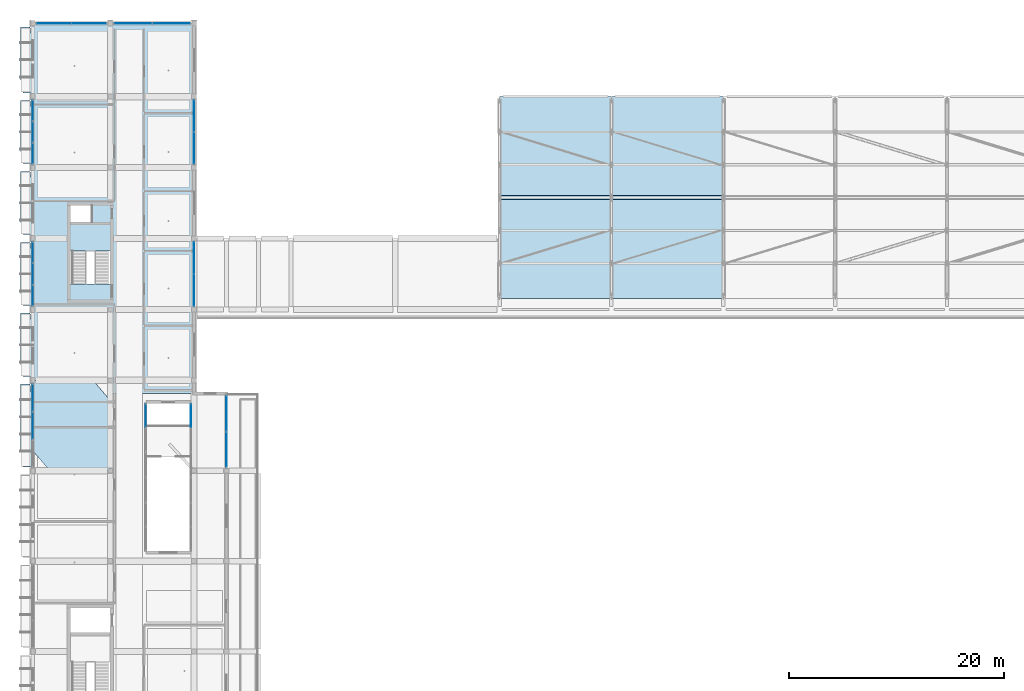
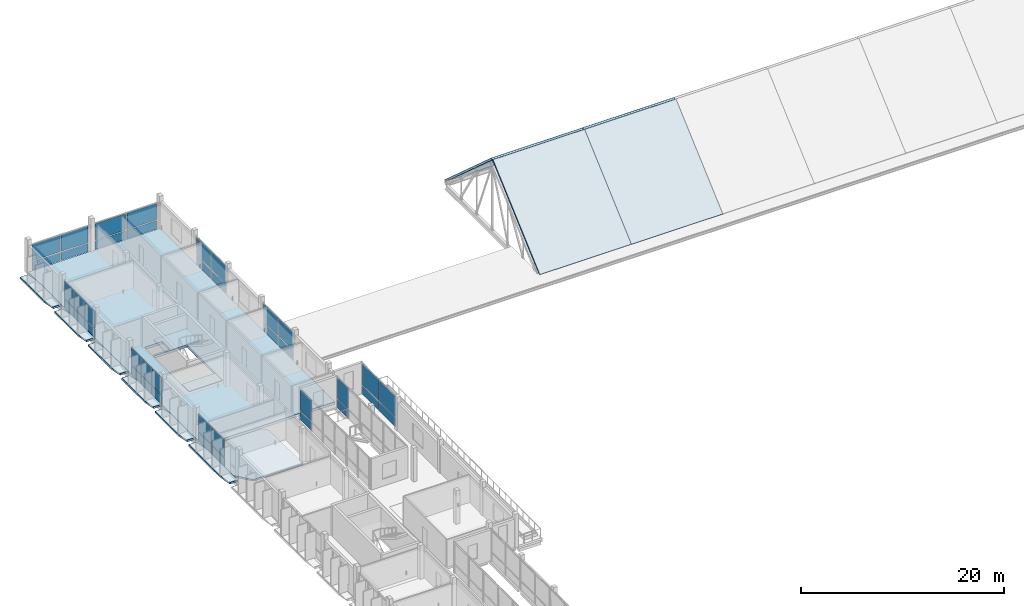
# One storey, part 41 of 86: 40 plates, 14 slabs, 12 elements without a shape of their own.
"""IFC4 building model written with IfcOpenShell, lengths in metres."""

from ifc_helpers import new_model, si_unit, derived_unit, direction, frame, origin, origin_2d, place, context, subcontext, project, spatial, polyline, rectangle, outline, extrude, material, layer, layer_set, type_object, element, aggregate, save


model = new_model("IFC4")

# Units and contexts
model_context = context("Model", 3, precision=1e-05, world=origin(), true_north=direction((0.0, 1.0)))
body_context = subcontext(model_context, "Body", "Model", "MODEL_VIEW")
ifc_project = project(units=[si_unit("LENGTHUNIT", "METRE"), si_unit("AREAUNIT", "SQUARE_METRE"), si_unit("VOLUMEUNIT", "CUBIC_METRE"), si_unit("PLANEANGLEUNIT", "RADIAN"), si_unit("MASSUNIT", "GRAM", prefix="KILO"), derived_unit("THERMALTRANSMITTANCEUNIT", [(si_unit("POWERUNIT", "WATT"), 1), (si_unit("LENGTHUNIT", "METRE"), -2), (si_unit("THERMODYNAMICTEMPERATUREUNIT", "KELVIN"), -1)])], contexts=[model_context])

# Site, building, storey
site_placement = place(None, origin())
site = spatial("IfcSite", under=ifc_project, at=site_placement, CompositionType="ELEMENT")
building_placement = place(site_placement, origin())
building = spatial("IfcBuilding", under=site, at=building_placement, Name="Braskholm Square Health Centre", CompositionType="ELEMENT")
storey_placement = place(building_placement, frame((0.0, 0.0, 13.5)))
storey = spatial("IfcBuildingStorey", under=building, at=storey_placement, Name="L04", CompositionType="ELEMENT", Elevation=13.5)

# Curtain wall, plates
ifc_material_1 = material(Name="Low-E triple insulating glass (VLT 0.64)", Category="glass")
curtain_wall_type_1 = type_object("IfcCurtainWallType", Name="UnitisedCurtainWall6200x3650", PredefinedType="NOTDEFINED", material=ifc_material_1)
curtain_wall_1_placement = place(storey_placement, origin())
curtain_wall_1 = element("IfcCurtainWall", 1, at=curtain_wall_1_placement, inside=storey, type_object=curtain_wall_type_1, Name="West Outer unitised curtain wall CW-L04-0028", PredefinedType="NOTDEFINED")
ifc_material_2 = material(Name="Architectural bronze anodised aluminium", Category="aluminium")
plate_type_1 = type_object("IfcPlateType", Name="CurtainPanelSpandrel1850x1020", PredefinedType="CURTAIN_PANEL", material=ifc_material_2)
plate_1_placement = place(storey_placement, frame((4.199951171875, 92.52001953125, 0.050048828125), z_axis=(0.0, 0.0, 1.0), x_axis=(0.0, -1.0, 0.0)))
plate_1 = element("IfcPlate", 2, at=plate_1_placement, type_object=plate_type_1, Name="CW-L04-0028 spandrel panel 1", PredefinedType="CURTAIN_PANEL", context=body_context, shape_type="SweptSolid", body=[
    extrude(rectangle(XDim=1.898681640625, YDim=0.035888671875, at=origin_2d()), origin(), (0.0, 0.0, 1.0), 1.02001953125),
])
plate_2_placement = place(storey_placement, frame((4.199951171875, 90.5, 0.050048828125), z_axis=(0.0, 0.0, 1.0), x_axis=(0.0, -1.0, 0.0)))
plate_2 = element("IfcPlate", 3, at=plate_2_placement, type_object=plate_type_1, Name="CW-L04-0028 spandrel panel 2", PredefinedType="CURTAIN_PANEL", context=body_context, shape_type="SweptSolid", body=[
    extrude(rectangle(XDim=1.898681640625, YDim=0.035888671875, at=origin_2d()), origin(), (0.0, 0.0, 1.0), 1.02001953125),
])
plate_3_placement = place(storey_placement, frame((4.199951171875, 88.47998046875, 0.050048828125), z_axis=(0.0, 0.0, 1.0), x_axis=(0.0, -1.0, 0.0)))
plate_3 = element("IfcPlate", 4, at=plate_3_placement, type_object=plate_type_1, Name="CW-L04-0028 spandrel panel 3", PredefinedType="CURTAIN_PANEL", context=body_context, shape_type="SweptSolid", body=[
    extrude(rectangle(XDim=1.898681640625, YDim=0.035888671875, at=origin_2d()), origin(), (0.0, 0.0, 1.0), 1.02001953125),
])

curtain_wall_2_placement = place(storey_placement, origin())
curtain_wall_2 = element("IfcCurtainWall", 5, at=curtain_wall_2_placement, inside=storey, type_object=curtain_wall_type_1, Name="West Outer unitised curtain wall CW-L04-0029", PredefinedType="NOTDEFINED")
plate_4_placement = place(storey_placement, frame((4.199951171875, 105.719970703125, 0.050048828125), z_axis=(0.0, 0.0, 1.0), x_axis=(0.0, -1.0, 0.0)))
plate_4 = element("IfcPlate", 6, at=plate_4_placement, type_object=plate_type_1, Name="CW-L04-0029 spandrel panel 1", PredefinedType="CURTAIN_PANEL", context=body_context, shape_type="SweptSolid", body=[
    extrude(rectangle(XDim=1.898681640625, YDim=0.035888671875, at=origin_2d()), origin(), (0.0, 0.0, 1.0), 1.02001953125),
])
plate_5_placement = place(storey_placement, frame((4.199951171875, 103.699951171875, 0.050048828125), z_axis=(0.0, 0.0, 1.0), x_axis=(0.0, -1.0, 0.0)))
plate_5 = element("IfcPlate", 7, at=plate_5_placement, type_object=plate_type_1, Name="CW-L04-0029 spandrel panel 2", PredefinedType="CURTAIN_PANEL", context=body_context, shape_type="SweptSolid", body=[
    extrude(rectangle(XDim=1.898681640625, YDim=0.035888671875, at=origin_2d()), origin(), (0.0, 0.0, 1.0), 1.02001953125),
])
plate_6_placement = place(storey_placement, frame((4.199951171875, 101.679931640625, 0.050048828125), z_axis=(0.0, 0.0, 1.0), x_axis=(0.0, -1.0, 0.0)))
plate_6 = element("IfcPlate", 8, at=plate_6_placement, type_object=plate_type_1, Name="CW-L04-0029 spandrel panel 3", PredefinedType="CURTAIN_PANEL", context=body_context, shape_type="SweptSolid", body=[
    extrude(rectangle(XDim=1.898681640625, YDim=0.035888671875, at=origin_2d()), origin(), (0.0, 0.0, 1.0), 1.02001953125),
])

# Curtain wall, plate
curtain_wall_type_2 = type_object("IfcCurtainWallType", Name="UnitisedCurtainWall4800x3800", PredefinedType="NOTDEFINED", material=ifc_material_1)
curtain_wall_3_placement = place(storey_placement, origin())
curtain_wall_3 = element("IfcCurtainWall", 9, at=curtain_wall_3_placement, inside=storey, type_object=curtain_wall_type_2, Name="WC2 Court W unitised curtain wall CW-L04-0307", PredefinedType="NOTDEFINED")
plate_type_2 = type_object("IfcPlateType", Name="CurtainPanelSpandrel2150x1020", PredefinedType="CURTAIN_PANEL", material=ifc_material_2)
plate_7_placement = place(storey_placement, frame((14.699951171875, 77.31591796875, 0.050048828125), z_axis=(0.0, 0.0, 1.0), x_axis=(0.0, 1.0, 0.0)))
plate_7 = element("IfcPlate", 10, at=plate_7_placement, type_object=plate_type_2, Name="CW-L04-0307 spandrel panel 2", PredefinedType="CURTAIN_PANEL", context=body_context, shape_type="SweptSolid", body=[
    extrude(rectangle(XDim=2.125244140625, YDim=0.035888671875, at=origin_2d()), origin(), (0.0, 0.0, 1.0), 1.02001953125),
])

curtain_wall_4_placement = place(storey_placement, origin())
curtain_wall_4 = element("IfcCurtainWall", 11, at=curtain_wall_4_placement, inside=storey, type_object=curtain_wall_type_2, Name="WC2 Court E unitised curtain wall CW-L04-0308", PredefinedType="NOTDEFINED")
plate_8_placement = place(storey_placement, frame((18.89990234375, 77.31591796875, 0.050048828125), z_axis=(0.0, 0.0, 1.0), x_axis=(0.0, -1.0, 0.0)))
plate_8 = element("IfcPlate", 12, at=plate_8_placement, type_object=plate_type_2, Name="CW-L04-0308 spandrel panel 1", PredefinedType="CURTAIN_PANEL", context=body_context, shape_type="SweptSolid", body=[
    extrude(rectangle(XDim=2.125244140625, YDim=0.035888671875, at=origin_2d()), origin(), (0.0, 0.0, 1.0), 1.02001953125),
])

# Curtain wall, plates
curtain_wall_5_placement = place(storey_placement, origin())
curtain_wall_5 = element("IfcCurtainWall", 13, at=curtain_wall_5_placement, inside=storey, type_object=curtain_wall_type_1, Name="West Outer unitised curtain wall CW-L04-0027", PredefinedType="NOTDEFINED")
plate_type_3 = type_object("IfcPlateType", Name="CurtainPanelSpandrel2750x1020", PredefinedType="CURTAIN_PANEL", material=ifc_material_2)
plate_9_placement = place(storey_placement, frame((4.199951171875, 79.02001953125, 0.050048828125), z_axis=(0.0, 0.0, 1.0), x_axis=(0.0, -1.0, 0.0)))
plate_9 = element("IfcPlate", 14, at=plate_9_placement, type_object=plate_type_3, Name="CW-L04-0027 spandrel panel 1", PredefinedType="CURTAIN_PANEL", context=body_context, shape_type="SweptSolid", body=[
    extrude(rectangle(XDim=2.462890625, YDim=0.035888671875, at=origin_2d()), origin(), (0.0, 0.0, 1.0), 1.02001953125),
])
plate_10_placement = place(storey_placement, frame((4.199951171875, 76.39990234375, 0.050048828125), z_axis=(0.0, 0.0, 1.0), x_axis=(0.0, -1.0, 0.0)))
plate_10 = element("IfcPlate", 15, at=plate_10_placement, type_object=plate_type_3, Name="CW-L04-0027 spandrel panel 2", PredefinedType="CURTAIN_PANEL", context=body_context, shape_type="SweptSolid", body=[
    extrude(rectangle(XDim=2.462890625, YDim=0.035888671875, at=origin_2d()), origin(), (0.0, 0.0, 1.0), 1.02001953125),
])

curtain_wall_6_placement = place(storey_placement, origin())
curtain_wall_6 = element("IfcCurtainWall", 16, at=curtain_wall_6_placement, inside=storey, type_object=curtain_wall_type_1, Name="West Valley unitised curtain wall CW-L04-0100", PredefinedType="NOTDEFINED")
plate_11_placement = place(storey_placement, frame((19.199951171875, 88.98828125, 0.050048828125), z_axis=(0.0, 0.0, 1.0), x_axis=(0.0, 1.0, 0.0)))
plate_11 = element("IfcPlate", 17, at=plate_11_placement, type_object=plate_type_3, Name="CW-L04-0100 spandrel panel 1", PredefinedType="CURTAIN_PANEL", context=body_context, shape_type="SweptSolid", body=[
    extrude(rectangle(XDim=2.87646484375, YDim=0.035888671875, at=origin_2d()), origin(), (0.0, 0.0, 1.0), 1.02001953125),
])
plate_12_placement = place(storey_placement, frame((19.199951171875, 92.01171875, 0.050048828125), z_axis=(0.0, 0.0, 1.0), x_axis=(0.0, 1.0, 0.0)))
plate_12 = element("IfcPlate", 18, at=plate_12_placement, type_object=plate_type_3, Name="CW-L04-0100 spandrel panel 2", PredefinedType="CURTAIN_PANEL", context=body_context, shape_type="SweptSolid", body=[
    extrude(rectangle(XDim=2.87646484375, YDim=0.035888671875, at=origin_2d()), origin(), (0.0, 0.0, 1.0), 1.02001953125),
])

curtain_wall_7_placement = place(storey_placement, origin())
curtain_wall_7 = element("IfcCurtainWall", 19, at=curtain_wall_7_placement, inside=storey, type_object=curtain_wall_type_1, Name="West Valley unitised curtain wall CW-L04-0101", PredefinedType="NOTDEFINED")
plate_13_placement = place(storey_placement, frame((19.199951171875, 102.1884765625, 0.050048828125), z_axis=(0.0, 0.0, 1.0), x_axis=(0.0, 1.0, 0.0)))
plate_13 = element("IfcPlate", 20, at=plate_13_placement, type_object=plate_type_3, Name="CW-L04-0101 spandrel panel 1", PredefinedType="CURTAIN_PANEL", context=body_context, shape_type="SweptSolid", body=[
    extrude(rectangle(XDim=2.87646484375, YDim=0.035888671875, at=origin_2d()), origin(), (0.0, 0.0, 1.0), 1.02001953125),
])
plate_14_placement = place(storey_placement, frame((19.199951171875, 105.211669921875, 0.050048828125), z_axis=(0.0, 0.0, 1.0), x_axis=(0.0, 1.0, 0.0)))
plate_14 = element("IfcPlate", 21, at=plate_14_placement, type_object=plate_type_3, Name="CW-L04-0101 spandrel panel 2", PredefinedType="CURTAIN_PANEL", context=body_context, shape_type="SweptSolid", body=[
    extrude(rectangle(XDim=2.87646484375, YDim=0.035888671875, at=origin_2d()), origin(), (0.0, 0.0, 1.0), 1.02001953125),
])

curtain_wall_type_3 = type_object("IfcCurtainWallType", Name="UnitisedCurtainWall6200x3800", PredefinedType="NOTDEFINED", material=ifc_material_1)
curtain_wall_8_placement = place(storey_placement, origin())
curtain_wall_8 = element("IfcCurtainWall", 22, at=curtain_wall_8_placement, inside=storey, type_object=curtain_wall_type_3, Name="West Valley unitised curtain wall CW-L04-0099", PredefinedType="NOTDEFINED")
plate_type_4 = type_object("IfcPlateType", Name="CurtainPanelSpandrel3150x1020", PredefinedType="CURTAIN_PANEL", material=ifc_material_2)
plate_15_placement = place(storey_placement, frame((22.199951171875, 74.1650390625, 0.050048828125), z_axis=(0.0, 0.0, 1.0), x_axis=(0.0, 1.0, 0.0)))
plate_15 = element("IfcPlate", 23, at=plate_15_placement, type_object=plate_type_4, Name="CW-L04-0099 spandrel panel 1", PredefinedType="CURTAIN_PANEL", context=body_context, shape_type="SweptSolid", body=[
    extrude(rectangle(XDim=3.20458984375, YDim=0.035888671875, at=origin_2d()), origin(), (0.0, 0.0, 1.0), 1.02001953125),
])
plate_16_placement = place(storey_placement, frame((22.199951171875, 77.532958984375, 0.050048828125), z_axis=(0.0, 0.0, 1.0), x_axis=(0.0, 1.0, 0.0)))
plate_16 = element("IfcPlate", 24, at=plate_16_placement, type_object=plate_type_4, Name="CW-L04-0099 spandrel panel 2", PredefinedType="CURTAIN_PANEL", context=body_context, shape_type="SweptSolid", body=[
    extrude(rectangle(XDim=3.20458984375, YDim=0.035888671875, at=origin_2d()), origin(), (0.0, 0.0, 1.0), 1.02001953125),
])

curtain_wall_9_placement = place(storey_placement, origin())
curtain_wall_9 = element("IfcCurtainWall", 25, at=curtain_wall_9_placement, inside=storey, type_object=curtain_wall_type_1, Name="Wing End unitised curtain wall CW-L04-0155", PredefinedType="NOTDEFINED")
plate_17_placement = place(storey_placement, frame((17.08837890625, 113.800048828125, 0.050048828125), z_axis=(0.0, 0.0, 1.0), x_axis=(-1.0, 0.0, 0.0)))
plate_17 = element("IfcPlate", 26, at=plate_17_placement, type_object=plate_type_4, Name="CW-L04-0155 spandrel panel 1", PredefinedType="CURTAIN_PANEL", context=body_context, shape_type="SweptSolid", body=[
    extrude(rectangle(XDim=3.40283203125, YDim=0.035888671875, at=origin_2d()), origin(), (0.0, 0.0, 1.0), 1.02001953125),
])
plate_18_placement = place(storey_placement, frame((13.51171875, 113.800048828125, 0.050048828125), z_axis=(0.0, 0.0, 1.0), x_axis=(-1.0, 0.0, 0.0)))
plate_18 = element("IfcPlate", 27, at=plate_18_placement, type_object=plate_type_4, Name="CW-L04-0155 spandrel panel 2", PredefinedType="CURTAIN_PANEL", context=body_context, shape_type="SweptSolid", body=[
    extrude(rectangle(XDim=3.40283203125, YDim=0.035888671875, at=origin_2d()), origin(), (0.0, 0.0, 1.0), 1.02001953125),
])

curtain_wall_10_placement = place(storey_placement, origin())
curtain_wall_10 = element("IfcCurtainWall", 28, at=curtain_wall_10_placement, inside=storey, type_object=curtain_wall_type_1, Name="Wing End unitised curtain wall CW-L04-0156", PredefinedType="NOTDEFINED")
plate_19_placement = place(storey_placement, frame((9.440185546875, 113.800048828125, 0.050048828125), z_axis=(0.0, 0.0, 1.0), x_axis=(-1.0, 0.0, 0.0)))
plate_19 = element("IfcPlate", 29, at=plate_19_placement, type_object=plate_type_4, Name="CW-L04-0156 spandrel panel 1", PredefinedType="CURTAIN_PANEL", context=body_context, shape_type="SweptSolid", body=[
    extrude(rectangle(XDim=3.120849609375, YDim=0.035888671875, at=origin_2d()), origin(), (0.0, 0.0, 1.0), 1.02001953125),
])
plate_20_placement = place(storey_placement, frame((6.159912109375, 113.800048828125, 0.050048828125), z_axis=(0.0, 0.0, 1.0), x_axis=(-1.0, 0.0, 0.0)))
plate_20 = element("IfcPlate", 30, at=plate_20_placement, type_object=plate_type_4, Name="CW-L04-0156 spandrel panel 2", PredefinedType="CURTAIN_PANEL", context=body_context, shape_type="SweptSolid", body=[
    extrude(rectangle(XDim=3.120849609375, YDim=0.035888671875, at=origin_2d()), origin(), (0.0, 0.0, 1.0), 1.02001953125),
])

# Plate
plate_type_5 = type_object("IfcPlateType", Name="CurtainPanelVision1850x2120", PredefinedType="CURTAIN_PANEL", material=ifc_material_1)
plate_21_placement = place(storey_placement, frame((4.199951171875, 92.52001953125, 1.169921875), z_axis=(0.0, 0.0, 1.0), x_axis=(0.0, -1.0, 0.0)))
plate_21 = element("IfcPlate", 31, at=plate_21_placement, type_object=plate_type_5, Name="CW-L04-0028 vision glass panel 1", PredefinedType="CURTAIN_PANEL", context=body_context, shape_type="SweptSolid", body=[
    extrude(rectangle(XDim=1.898681640625, YDim=0.035888671875, at=origin_2d()), origin(), (0.0, 0.0, 1.0), 2.050048828125),
])

plate_22_placement = place(storey_placement, frame((4.199951171875, 90.5, 1.169921875), z_axis=(0.0, 0.0, 1.0), x_axis=(0.0, -1.0, 0.0)))
plate_22 = element("IfcPlate", 32, at=plate_22_placement, type_object=plate_type_5, Name="CW-L04-0028 vision glass panel 2", PredefinedType="CURTAIN_PANEL", context=body_context, shape_type="SweptSolid", body=[
    extrude(rectangle(XDim=1.898681640625, YDim=0.035888671875, at=origin_2d()), origin(), (0.0, 0.0, 1.0), 2.050048828125),
])

plate_23_placement = place(storey_placement, frame((4.199951171875, 88.47998046875, 1.169921875), z_axis=(0.0, 0.0, 1.0), x_axis=(0.0, -1.0, 0.0)))
plate_23 = element("IfcPlate", 33, at=plate_23_placement, type_object=plate_type_5, Name="CW-L04-0028 vision glass panel 3", PredefinedType="CURTAIN_PANEL", context=body_context, shape_type="SweptSolid", body=[
    extrude(rectangle(XDim=1.898681640625, YDim=0.035888671875, at=origin_2d()), origin(), (0.0, 0.0, 1.0), 2.050048828125),
])

aggregate(curtain_wall_1, [plate_1, plate_21, plate_2, plate_22, plate_3, plate_23])

plate_24_placement = place(storey_placement, frame((4.199951171875, 105.719970703125, 1.169921875), z_axis=(0.0, 0.0, 1.0), x_axis=(0.0, -1.0, 0.0)))
plate_24 = element("IfcPlate", 34, at=plate_24_placement, type_object=plate_type_5, Name="CW-L04-0029 vision glass panel 1", PredefinedType="CURTAIN_PANEL", context=body_context, shape_type="SweptSolid", body=[
    extrude(rectangle(XDim=1.898681640625, YDim=0.035888671875, at=origin_2d()), origin(), (0.0, 0.0, 1.0), 2.050048828125),
])

plate_25_placement = place(storey_placement, frame((4.199951171875, 103.699951171875, 1.169921875), z_axis=(0.0, 0.0, 1.0), x_axis=(0.0, -1.0, 0.0)))
plate_25 = element("IfcPlate", 35, at=plate_25_placement, type_object=plate_type_5, Name="CW-L04-0029 vision glass panel 2", PredefinedType="CURTAIN_PANEL", context=body_context, shape_type="SweptSolid", body=[
    extrude(rectangle(XDim=1.898681640625, YDim=0.035888671875, at=origin_2d()), origin(), (0.0, 0.0, 1.0), 2.050048828125),
])

plate_26_placement = place(storey_placement, frame((4.199951171875, 101.679931640625, 1.169921875), z_axis=(0.0, 0.0, 1.0), x_axis=(0.0, -1.0, 0.0)))
plate_26 = element("IfcPlate", 36, at=plate_26_placement, type_object=plate_type_5, Name="CW-L04-0029 vision glass panel 3", PredefinedType="CURTAIN_PANEL", context=body_context, shape_type="SweptSolid", body=[
    extrude(rectangle(XDim=1.898681640625, YDim=0.035888671875, at=origin_2d()), origin(), (0.0, 0.0, 1.0), 2.050048828125),
])

aggregate(curtain_wall_2, [plate_4, plate_24, plate_5, plate_25, plate_6, plate_26])

plate_type_6 = type_object("IfcPlateType", Name="CurtainPanelVision2150x2520", PredefinedType="CURTAIN_PANEL", material=ifc_material_1)
plate_27_placement = place(storey_placement, frame((14.699951171875, 77.31591796875, 1.169921875), z_axis=(0.0, 0.0, 1.0), x_axis=(0.0, 1.0, 0.0)))
plate_27 = element("IfcPlate", 37, at=plate_27_placement, type_object=plate_type_6, Name="CW-L04-0307 vision glass panel 2", PredefinedType="CURTAIN_PANEL", context=body_context, shape_type="SweptSolid", body=[
    extrude(rectangle(XDim=2.125244140625, YDim=0.035888671875, at=origin_2d()), origin(), (0.0, 0.0, 1.0), 2.469970703125),
])

aggregate(curtain_wall_3, [plate_7, plate_27])

plate_28_placement = place(storey_placement, frame((18.89990234375, 77.31591796875, 1.169921875), z_axis=(0.0, 0.0, 1.0), x_axis=(0.0, -1.0, 0.0)))
plate_28 = element("IfcPlate", 38, at=plate_28_placement, type_object=plate_type_6, Name="CW-L04-0308 vision glass panel 1", PredefinedType="CURTAIN_PANEL", context=body_context, shape_type="SweptSolid", body=[
    extrude(rectangle(XDim=2.125244140625, YDim=0.035888671875, at=origin_2d()), origin(), (0.0, 0.0, 1.0), 2.469970703125),
])

aggregate(curtain_wall_4, [plate_8, plate_28])

plate_type_7 = type_object("IfcPlateType", Name="CurtainPanelVision2750x2120", PredefinedType="CURTAIN_PANEL", material=ifc_material_1)
plate_29_placement = place(storey_placement, frame((4.199951171875, 79.02001953125, 1.169921875), z_axis=(0.0, 0.0, 1.0), x_axis=(0.0, -1.0, 0.0)))
plate_29 = element("IfcPlate", 39, at=plate_29_placement, type_object=plate_type_7, Name="CW-L04-0027 vision glass panel 1", PredefinedType="CURTAIN_PANEL", context=body_context, shape_type="SweptSolid", body=[
    extrude(rectangle(XDim=2.462890625, YDim=0.035888671875, at=origin_2d()), origin(), (0.0, 0.0, 1.0), 2.050048828125),
])

plate_30_placement = place(storey_placement, frame((4.199951171875, 76.39990234375, 1.169921875), z_axis=(0.0, 0.0, 1.0), x_axis=(0.0, -1.0, 0.0)))
plate_30 = element("IfcPlate", 40, at=plate_30_placement, type_object=plate_type_7, Name="CW-L04-0027 vision glass panel 2", PredefinedType="CURTAIN_PANEL", context=body_context, shape_type="SweptSolid", body=[
    extrude(rectangle(XDim=2.462890625, YDim=0.035888671875, at=origin_2d()), origin(), (0.0, 0.0, 1.0), 2.050048828125),
])

aggregate(curtain_wall_5, [plate_9, plate_29, plate_10, plate_30])

plate_31_placement = place(storey_placement, frame((19.199951171875, 88.98828125, 1.169921875), z_axis=(0.0, 0.0, 1.0), x_axis=(0.0, 1.0, 0.0)))
plate_31 = element("IfcPlate", 41, at=plate_31_placement, type_object=plate_type_7, Name="CW-L04-0100 vision glass panel 1", PredefinedType="CURTAIN_PANEL", context=body_context, shape_type="SweptSolid", body=[
    extrude(rectangle(XDim=2.87646484375, YDim=0.035888671875, at=origin_2d()), origin(), (0.0, 0.0, 1.0), 2.139892578125),
])

plate_32_placement = place(storey_placement, frame((19.199951171875, 92.01171875, 1.169921875), z_axis=(0.0, 0.0, 1.0), x_axis=(0.0, 1.0, 0.0)))
plate_32 = element("IfcPlate", 42, at=plate_32_placement, type_object=plate_type_7, Name="CW-L04-0100 vision glass panel 2", PredefinedType="CURTAIN_PANEL", context=body_context, shape_type="SweptSolid", body=[
    extrude(rectangle(XDim=2.87646484375, YDim=0.035888671875, at=origin_2d()), origin(), (0.0, 0.0, 1.0), 2.139892578125),
])

aggregate(curtain_wall_6, [plate_11, plate_31, plate_12, plate_32])

plate_33_placement = place(storey_placement, frame((19.199951171875, 102.1884765625, 1.169921875), z_axis=(0.0, 0.0, 1.0), x_axis=(0.0, 1.0, 0.0)))
plate_33 = element("IfcPlate", 43, at=plate_33_placement, type_object=plate_type_7, Name="CW-L04-0101 vision glass panel 1", PredefinedType="CURTAIN_PANEL", context=body_context, shape_type="SweptSolid", body=[
    extrude(rectangle(XDim=2.87646484375, YDim=0.035888671875, at=origin_2d()), origin(), (0.0, 0.0, 1.0), 2.139892578125),
])

plate_34_placement = place(storey_placement, frame((19.199951171875, 105.211669921875, 1.169921875), z_axis=(0.0, 0.0, 1.0), x_axis=(0.0, 1.0, 0.0)))
plate_34 = element("IfcPlate", 44, at=plate_34_placement, type_object=plate_type_7, Name="CW-L04-0101 vision glass panel 2", PredefinedType="CURTAIN_PANEL", context=body_context, shape_type="SweptSolid", body=[
    extrude(rectangle(XDim=2.87646484375, YDim=0.035888671875, at=origin_2d()), origin(), (0.0, 0.0, 1.0), 2.139892578125),
])

aggregate(curtain_wall_7, [plate_13, plate_33, plate_14, plate_34])

plate_type_8 = type_object("IfcPlateType", Name="CurtainPanelVision3150x2120", PredefinedType="CURTAIN_PANEL", material=ifc_material_1)
plate_35_placement = place(storey_placement, frame((17.08837890625, 113.800048828125, 1.169921875), z_axis=(0.0, 0.0, 1.0), x_axis=(-1.0, 0.0, 0.0)))
plate_35 = element("IfcPlate", 45, at=plate_35_placement, type_object=plate_type_8, Name="CW-L04-0155 vision glass panel 1", PredefinedType="CURTAIN_PANEL", context=body_context, shape_type="SweptSolid", body=[
    extrude(rectangle(XDim=3.40283203125, YDim=0.035888671875, at=origin_2d()), origin(), (0.0, 0.0, 1.0), 1.969970703125),
])

plate_36_placement = place(storey_placement, frame((13.51171875, 113.800048828125, 1.169921875), z_axis=(0.0, 0.0, 1.0), x_axis=(-1.0, 0.0, 0.0)))
plate_36 = element("IfcPlate", 46, at=plate_36_placement, type_object=plate_type_8, Name="CW-L04-0155 vision glass panel 2", PredefinedType="CURTAIN_PANEL", context=body_context, shape_type="SweptSolid", body=[
    extrude(rectangle(XDim=3.40283203125, YDim=0.035888671875, at=origin_2d()), origin(), (0.0, 0.0, 1.0), 1.969970703125),
])

aggregate(curtain_wall_9, [plate_17, plate_35, plate_18, plate_36])

plate_37_placement = place(storey_placement, frame((9.440185546875, 113.800048828125, 1.169921875), z_axis=(0.0, 0.0, 1.0), x_axis=(-1.0, 0.0, 0.0)))
plate_37 = element("IfcPlate", 47, at=plate_37_placement, type_object=plate_type_8, Name="CW-L04-0156 vision glass panel 1", PredefinedType="CURTAIN_PANEL", context=body_context, shape_type="SweptSolid", body=[
    extrude(rectangle(XDim=3.120849609375, YDim=0.035888671875, at=origin_2d()), origin(), (0.0, 0.0, 1.0), 1.969970703125),
])

plate_38_placement = place(storey_placement, frame((6.159912109375, 113.800048828125, 1.169921875), z_axis=(0.0, 0.0, 1.0), x_axis=(-1.0, 0.0, 0.0)))
plate_38 = element("IfcPlate", 48, at=plate_38_placement, type_object=plate_type_8, Name="CW-L04-0156 vision glass panel 2", PredefinedType="CURTAIN_PANEL", context=body_context, shape_type="SweptSolid", body=[
    extrude(rectangle(XDim=3.120849609375, YDim=0.035888671875, at=origin_2d()), origin(), (0.0, 0.0, 1.0), 1.969970703125),
])

aggregate(curtain_wall_10, [plate_19, plate_37, plate_20, plate_38])

plate_type_9 = type_object("IfcPlateType", Name="CurtainPanelVision3150x2520", PredefinedType="CURTAIN_PANEL", material=ifc_material_1)
plate_39_placement = place(storey_placement, frame((22.199951171875, 74.1650390625, 1.169921875), z_axis=(0.0, 0.0, 1.0), x_axis=(0.0, 1.0, 0.0)))
plate_39 = element("IfcPlate", 49, at=plate_39_placement, type_object=plate_type_9, Name="CW-L04-0099 vision glass panel 1", PredefinedType="CURTAIN_PANEL", context=body_context, shape_type="SweptSolid", body=[
    extrude(rectangle(XDim=3.20458984375, YDim=0.035888671875, at=origin_2d()), origin(), (0.0, 0.0, 1.0), 2.52001953125),
])

plate_40_placement = place(storey_placement, frame((22.199951171875, 77.532958984375, 1.169921875), z_axis=(0.0, 0.0, 1.0), x_axis=(0.0, 1.0, 0.0)))
plate_40 = element("IfcPlate", 50, at=plate_40_placement, type_object=plate_type_9, Name="CW-L04-0099 vision glass panel 2", PredefinedType="CURTAIN_PANEL", context=body_context, shape_type="SweptSolid", body=[
    extrude(rectangle(XDim=3.20458984375, YDim=0.035888671875, at=origin_2d()), origin(), (0.0, 0.0, 1.0), 2.52001953125),
])

aggregate(curtain_wall_8, [plate_15, plate_39, plate_16, plate_40])

# Slabs
ifc_material_3 = material(Name="Precast concrete C40/50 architectural white", Category="concrete")
ifc_layer_1 = layer(ifc_material_3, 0.2099609375)
ifc_layer_set_1 = layer_set([ifc_layer_1], Name="Precast concrete C40/50 architectural white")
slab_type_1 = type_object("IfcSlabType", Name="PitchedAndCrownRoofSlab150", PredefinedType="ROOF", material=ifc_layer_set_1)
slab_1_placement = place(storey_placement, frame((0.0, 0.0, -0.2099609375)))
element("IfcSlab", 51, at=slab_1_placement, inside=storey, type_object=slab_type_1, Name="Level L04 West precast planter ledge 043", PredefinedType="ROOF", context=body_context, shape_type="SweptSolid", body=[
    extrude(outline(polyline([(3.302978515625, 72.550048828125), (4.199951171875, 72.550048828125), (4.199951171875, 78.555908203125), (3.947021484375, 80.25), (3.050048828125, 80.25), (3.050048828125, 74.243896484375), (3.302978515625, 72.550048828125)])), origin(), (0.0, 0.0, 1.0), 0.2099609375),
])
slab_2_placement = place(storey_placement, frame((0.0, 0.0, -0.2099609375)))
element("IfcSlab", 52, at=slab_2_placement, inside=storey, type_object=slab_type_1, Name="Level L04 West precast planter ledge 044", PredefinedType="ROOF", context=body_context, shape_type="SweptSolid", body=[
    extrude(outline(polyline([(3.302978515625, 80.949951171875), (4.199951171875, 80.949951171875), (4.199951171875, 85.552001953125), (3.947021484375, 86.85009765625), (3.050048828125, 86.85009765625), (3.050048828125, 82.248046875), (3.302978515625, 80.949951171875)])), origin(), (0.0, 0.0, 1.0), 0.2099609375),
])
slab_3_placement = place(storey_placement, frame((0.0, 0.0, -0.2099609375)))
element("IfcSlab", 53, at=slab_3_placement, inside=storey, type_object=slab_type_1, Name="Level L04 West precast planter ledge 045", PredefinedType="ROOF", context=body_context, shape_type="SweptSolid", body=[
    extrude(outline(polyline([(3.302978515625, 87.550048828125), (4.199951171875, 87.550048828125), (4.199951171875, 92.152099609375), (3.947021484375, 93.449951171875), (3.050048828125, 93.449951171875), (3.050048828125, 88.847900390625), (3.302978515625, 87.550048828125)])), origin(), (0.0, 0.0, 1.0), 0.2099609375),
])
slab_4_placement = place(storey_placement, frame((0.0, 0.0, -0.2099609375)))
element("IfcSlab", 54, at=slab_4_placement, inside=storey, type_object=slab_type_1, Name="Level L04 West precast planter ledge 046", PredefinedType="ROOF", context=body_context, shape_type="SweptSolid", body=[
    extrude(outline(polyline([(3.302978515625, 94.14990234375), (4.199951171875, 94.14990234375), (4.199951171875, 98.751953125), (3.947021484375, 100.050048828125), (3.050048828125, 100.050048828125), (3.050048828125, 95.447998046875), (3.302978515625, 94.14990234375)])), origin(), (0.0, 0.0, 1.0), 0.2099609375),
])
slab_5_placement = place(storey_placement, frame((0.0, 0.0, -0.2099609375)))
element("IfcSlab", 55, at=slab_5_placement, inside=storey, type_object=slab_type_1, Name="Level L04 West precast planter ledge 047", PredefinedType="ROOF", context=body_context, shape_type="SweptSolid", body=[
    extrude(outline(polyline([(3.302978515625, 100.75), (4.199951171875, 100.75), (4.199951171875, 105.35205078125), (3.947021484375, 106.64990234375), (3.050048828125, 106.64990234375), (3.050048828125, 102.048095703125), (3.302978515625, 100.75)])), origin(), (0.0, 0.0, 1.0), 0.2099609375),
])
slab_6_placement = place(storey_placement, frame((0.0, 0.0, -0.2099609375)))
element("IfcSlab", 56, at=slab_6_placement, inside=storey, type_object=slab_type_1, Name="Level L04 West precast planter ledge 048", PredefinedType="ROOF", context=body_context, shape_type="SweptSolid", body=[
    extrude(outline(polyline([(3.302978515625, 107.35009765625), (4.199951171875, 107.35009765625), (4.199951171875, 112.10791015625), (3.947021484375, 113.449951171875), (3.050048828125, 113.449951171875), (3.050048828125, 108.69189453125), (3.302978515625, 107.35009765625)])), origin(), (0.0, 0.0, 1.0), 0.2099609375),
])

# Roof, slabs
ifc_material_4 = material(Name="Patinated standing-seam architectural copper")
roof_type = type_object("IfcRoofType", Name="WaitingHallGableRoof", PredefinedType="GABLE_ROOF", material=ifc_material_4)
roof_placement = place(storey_placement, origin())
roof = element("IfcRoof", 57, at=roof_placement, inside=storey, type_object=roof_type, Name="Conservatory Waiting Hall seven-bay pitched copper roof", PredefinedType="GABLE_ROOF")
slab_7_placement = place(storey_placement, frame((47.60009765625, 88.199951171875, 0.0), z_axis=(0.0, -0.665468453999, 0.746425975386), x_axis=(1.0, 0.0, 0.0)))
slab_7 = element("IfcSlab", 58, at=slab_7_placement, type_object=slab_type_1, Name="Waiting Hall pitched roof deck Bay 1 South", PredefinedType="ROOF", context=body_context, shape_type="SweptSolid", body=[
    extrude(outline(polyline([(0.0, 0.0), (10.39990234375, 0.0), (10.39990234375, 12.352156820843742), (0.0, 12.352156820843742), (0.0, 0.0)])), origin(), (0.0, 0.0, -1.0), 0.2099609375),
])
slab_8_placement = place(storey_placement, frame((58.0, 107.0, 0.0), z_axis=(0.0, 0.665468453999, 0.746425975386), x_axis=(-1.0, 0.0, 0.0)))
slab_8 = element("IfcSlab", 59, at=slab_8_placement, type_object=slab_type_1, Name="Waiting Hall pitched roof deck Bay 1 North", PredefinedType="ROOF", context=body_context, shape_type="SweptSolid", body=[
    extrude(outline(polyline([(0.0, 0.0), (10.39990234375, 0.0), (10.39990234375, 12.352156820843742), (0.0, 12.352156820843742), (0.0, 0.0)])), origin(), (0.0, 0.0, -1.0), 0.2099609375),
])
slab_9_placement = place(storey_placement, frame((58.0, 88.199951171875, 0.0), z_axis=(0.0, -0.665468453999, 0.746425975386), x_axis=(1.0, 0.0, 0.0)))
slab_9 = element("IfcSlab", 60, at=slab_9_placement, type_object=slab_type_1, Name="Waiting Hall pitched roof deck Bay 2 South", PredefinedType="ROOF", context=body_context, shape_type="SweptSolid", body=[
    extrude(outline(polyline([(0.0, 0.0), (10.39990234375, 0.0), (10.39990234375, 12.352156820843742), (0.0, 12.352156820843742), (0.0, 0.0)])), origin(), (0.0, 0.0, -1.0), 0.2099609375),
])
slab_10_placement = place(storey_placement, frame((68.39990234375, 107.0, 0.0), z_axis=(0.0, 0.665468453999, 0.746425975386), x_axis=(-1.0, 0.0, 0.0)))
slab_10 = element("IfcSlab", 61, at=slab_10_placement, type_object=slab_type_1, Name="Waiting Hall pitched roof deck Bay 2 North", PredefinedType="ROOF", context=body_context, shape_type="SweptSolid", body=[
    extrude(outline(polyline([(0.0, 0.0), (10.39990234375, 0.0), (10.39990234375, 12.352156820843742), (0.0, 12.352156820843742), (0.0, 0.0)])), origin(), (0.0, 0.0, -1.0), 0.2099609375),
])
aggregate(roof, [slab_7, slab_8, slab_9, slab_10])

# Slab
ifc_material_5 = material(Name="Concrete C35/45 (f'c = 35 MPa)", Category="concrete")
ifc_layer_2 = layer(ifc_material_5, 0.199951171875)
ifc_layer_set_2 = layer_set([ifc_layer_2], Name="Concrete C35/45 (f'c = 35 MPa)")
slab_type_2 = type_object("IfcSlabType", Name="PunchingDropPanel200", PredefinedType="USERDEFINED", material=ifc_layer_set_2)
slab_11_placement = place(storey_placement, frame((0.0, 0.0, -0.5)))
element("IfcSlab", 62, at=slab_11_placement, inside=storey, type_object=slab_type_2, Name="Thickened vibration drop panel 014 L04", ObjectType="DROPPANEL", PredefinedType="USERDEFINED", context=body_context, shape_type="SweptSolid", body=[
    extrude(outline(polyline([(5.783935546875, 72.199951171875), (11.39990234375, 72.199951171875), (11.39990234375, 78.751953125), (9.81591796875, 80.60009765625), (4.199951171875, 80.60009765625), (4.199951171875, 74.048095703125), (5.783935546875, 72.199951171875)])), origin(), (0.0, 0.0, 1.0), 0.199951171875),
])

# Stair, slabs
stair_type = type_object("IfcStairType", Name="ExitReturnStairL04", PredefinedType="HALF_TURN_STAIR", material=ifc_material_5)
stair_placement = place(storey_placement, origin())
stair = element("IfcStair", 63, at=stair_placement, inside=storey, type_object=stair_type, Name="Enclosed exit stair ST-03 L04 to L05", PredefinedType="HALF_TURN_STAIR")
ifc_layer_3 = layer(ifc_material_5, 0.179931640625)
ifc_layer_set_3 = layer_set([ifc_layer_3], Name="Concrete C35/45 (f'c = 35 MPa)")
slab_type_3 = type_object("IfcSlabType", Name="StairLandingSlab180", PredefinedType="LANDING", material=ifc_layer_set_3)
slab_12_placement = place(storey_placement, frame((0.0, 0.0, 1.844970703125)))
slab_12 = element("IfcSlab", 64, at=slab_12_placement, type_object=slab_type_3, Name="Stair ST-03 half-landing L04", PredefinedType="LANDING", context=body_context, shape_type="SweptSolid", body=[
    extrude(outline(polyline([(7.64990234375, 92.639892578125), (11.449951171875, 92.639892578125), (11.449951171875, 95.10009765625), (7.64990234375, 95.10009765625), (7.64990234375, 92.639892578125)])), origin(), (0.0, 0.0, 1.0), 0.179931640625),
])
slab_13_placement = place(storey_placement, frame((0.0, 0.0, -0.179931640625)))
slab_13 = element("IfcSlab", 65, at=slab_13_placement, type_object=slab_type_3, Name="Stair ST-03 floor landing L04", PredefinedType="LANDING", context=body_context, shape_type="SweptSolid", body=[
    extrude(outline(polyline([(7.64990234375, 88.10009765625), (11.449951171875, 88.10009765625), (11.449951171875, 89.56005859375), (7.64990234375, 89.56005859375), (7.64990234375, 88.10009765625)])), origin(), (0.0, 0.0, 1.0), 0.179931640625),
])
aggregate(stair, [slab_12, slab_13])

# Slab
ifc_layer_4 = layer(ifc_material_5, 0.300048828125)
ifc_layer_set_4 = layer_set([ifc_layer_4], Name="Concrete C35/45 (f'c = 35 MPa)")
slab_type_4 = type_object("IfcSlabType", Name="TwoWayClinicalFlatSlab300", PredefinedType="FLOOR", material=ifc_layer_set_4)
slab_14_placement = place(storey_placement, frame((0.0, 0.0, -0.300048828125)))
element("IfcSlab", 66, at=slab_14_placement, inside=storey, type_object=slab_type_4, Name="Level L04 V5 Northwest behavioral suite slab", PredefinedType="FLOOR", context=body_context, shape_type="SweptSolid", body=[
    extrude(outline(polyline([(4.199951171875, 79.39990234375), (19.199951171875, 79.39990234375), (19.199951171875, 113.800048828125), (4.199951171875, 113.800048828125), (4.199951171875, 79.39990234375)]), holes=[polyline([(7.6298828125, 88.080078125), (11.469970703125, 88.080078125), (11.469970703125, 95.1201171875), (7.6298828125, 95.1201171875), (7.6298828125, 88.080078125)]), polyline([(7.6298828125, 95.35009765625), (9.64990234375, 95.35009765625), (9.64990234375, 96.85009765625), (7.6298828125, 96.85009765625), (7.6298828125, 95.35009765625)])]), origin(), (0.0, 0.0, 1.0), 0.300048828125),
])

save(model, "model.ifc")
